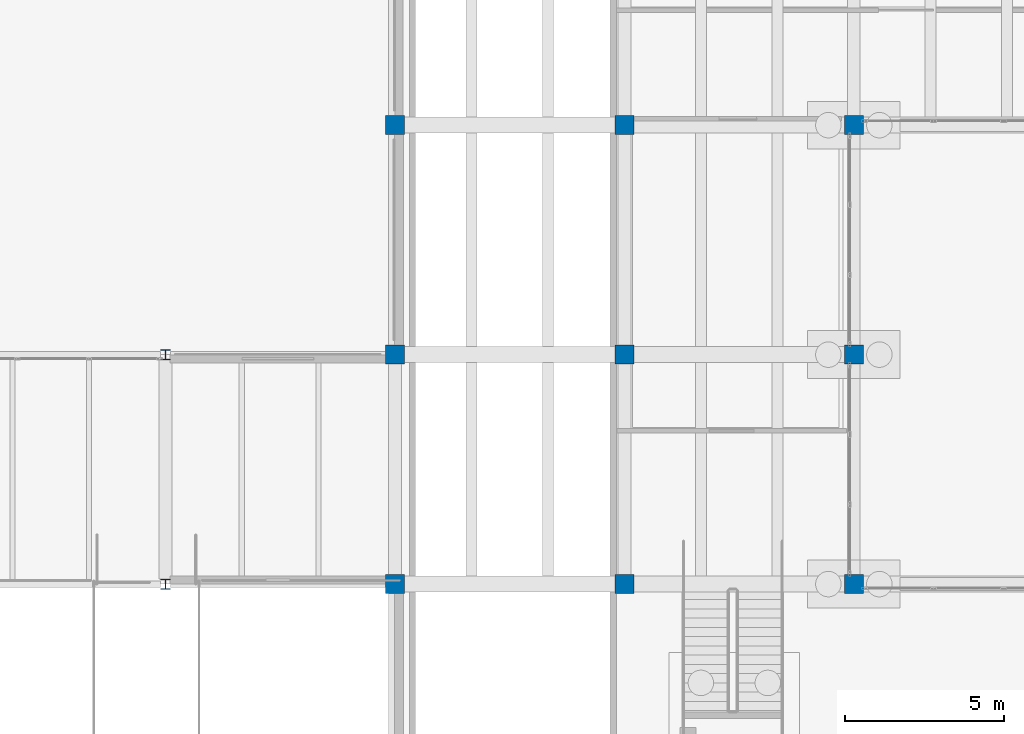
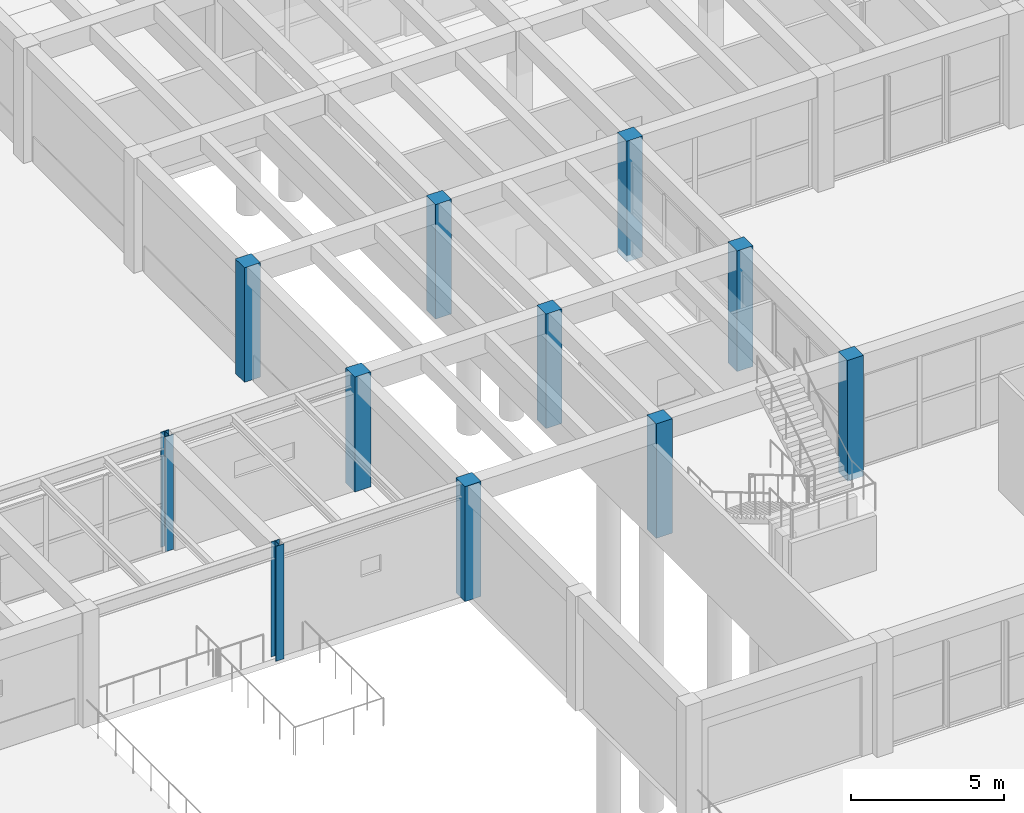
# One storey, part 10 of 155: 11 columns.
"""IFC4 building model written with IfcOpenShell, lengths in metres."""

from ifc_helpers import new_model, si_unit, direction, frame, origin, origin_2d, place, context, subcontext, project, spatial, rectangle, i_section, extrude, material, material_profile, profile_set, type_object, element, save


model = new_model("IFC4")

# Units and contexts
model_context = context("Model", 3, precision=1e-05, world=origin(), true_north=direction((0.0, 1.0)))
body_context = subcontext(model_context, "Body", "Model", "MODEL_VIEW")
ifc_project = project(units=[si_unit("LENGTHUNIT", "METRE"), si_unit("AREAUNIT", "SQUARE_METRE"), si_unit("VOLUMEUNIT", "CUBIC_METRE"), si_unit("PLANEANGLEUNIT", "RADIAN"), si_unit("MASSUNIT", "GRAM", prefix="KILO")], contexts=[model_context])

# Site, building, storey
site_placement = place(None, origin())
site = spatial("IfcSite", under=ifc_project, at=site_placement, CompositionType="ELEMENT")
building_placement = place(site_placement, origin())
building = spatial("IfcBuilding", under=site, at=building_placement, Name="Bramvelor Terrace Health Centre", CompositionType="ELEMENT")
storey_placement = place(building_placement, origin())
storey = spatial("IfcBuildingStorey", under=building, at=storey_placement, Name="L01", CompositionType="ELEMENT", Elevation=0.0)

# Columns
ifc_material_1 = material(Name="Concrete C40/50", Category="concrete")
ifc_material_profile_1 = material_profile(ifc_material_1, rectangle(XDim=0.60009765625, YDim=0.60009765625, at=origin_2d()), Name="RC 600x600")
ifc_profile_set_1 = profile_set([ifc_material_profile_1], Name="Concrete C40/50")
column_type_1 = type_object("IfcColumnType", Name="COL-RC-600", PredefinedType="COLUMN", material=ifc_profile_set_1)
for number, where, z_axis, x_axis, name in (
    (1, (43.199951171875, 50.39990234375, 0.0), (0.0, 0.0, 1.0), (1.0, 0.0, 0.0), "L01 Column (43.2, 50.4)"),
    (2, (43.199951171875, 57.60009765625, 0.0), (0.0, 0.0, 1.0), (1.0, 0.0, 0.0), "L01 Column (43.2, 57.6)"),
):
    element("IfcColumn", number, at=place(storey_placement, frame(where, z_axis=z_axis, x_axis=x_axis)), inside=storey, type_object=column_type_1, Name=name, PredefinedType="COLUMN", context=body_context, shape_type="SweptSolid", body=[
        extrude(rectangle(XDim=0.60009765625, YDim=0.60009765625, at=origin_2d()), origin(), (0.0, 0.0, 1.0), 4.580078125),
    ])
for number, where, z_axis, x_axis, name in (
    (3, (43.199951171875, 64.800048828125, 0.0), (0.0, 0.0, 1.0), (1.0, 0.0, 0.0), "L01 Column (43.2, 64.8)"),
    (4, (50.39990234375, 50.39990234375, 0.0), (0.0, 0.0, 1.0), (1.0, 0.0, 0.0), "L01 Column (50.4, 50.4)"),
    (5, (50.39990234375, 57.60009765625, 0.0), (0.0, 0.0, 1.0), (1.0, 0.0, 0.0), "L01 Column (50.4, 57.6)"),
    (6, (50.39990234375, 64.800048828125, 0.0), (0.0, 0.0, 1.0), (1.0, 0.0, 0.0), "L01 Column (50.4, 64.8)"),
):
    element("IfcColumn", number, at=place(storey_placement, frame(where, z_axis=z_axis, x_axis=x_axis)), inside=storey, type_object=column_type_1, Name=name, PredefinedType="COLUMN", context=body_context, shape_type="SweptSolid", body=[
        extrude(rectangle(XDim=0.60009765625, YDim=0.60009765625, at=origin_2d()), origin(), (0.0, 0.0, 1.0), 4.56005859375),
    ])
for number, where, z_axis, x_axis, name in (
    (7, (57.60009765625, 50.39990234375, -0.25), (0.0, 0.0, 1.0), (1.0, 0.0, 0.0), "L01 Column (57.6, 50.4)"),
    (8, (57.60009765625, 57.60009765625, -0.25), (0.0, 0.0, 1.0), (1.0, 0.0, 0.0), "L01 Column (57.6, 57.6)"),
    (9, (57.60009765625, 64.800048828125, -0.25), (0.0, 0.0, 1.0), (1.0, 0.0, 0.0), "L01 Column (57.6, 64.8)"),
):
    element("IfcColumn", number, at=place(storey_placement, frame(where, z_axis=z_axis, x_axis=x_axis)), inside=storey, type_object=column_type_1, Name=name, PredefinedType="COLUMN", context=body_context, shape_type="SweptSolid", body=[
        extrude(rectangle(XDim=0.60009765625, YDim=0.60009765625, at=origin_2d()), origin(), (0.0, 0.0, 1.0), 4.81005859375),
    ])
ifc_material_2 = material(Name="Steel S355J2", Category="steel")
ifc_material_profile_2 = material_profile(ifc_material_2, i_section(OverallWidth=0.307373046875, OverallDepth=0.314453125, WebThickness=0.011962890625, FlangeThickness=0.018798828125, FilletRadius=0.01513671875, at=origin_2d()), Name="UC 305x305x118")
ifc_profile_set_2 = profile_set([ifc_material_profile_2], Name="Steel S355J2")
column_type_2 = type_object("IfcColumnType", Name="COL-STL-UC305", PredefinedType="COLUMN", material=ifc_profile_set_2)
for number, where, z_axis, x_axis, name in (
    (10, (36.0, 50.39990234375, 0.0), (0.0, 0.0, 1.0), (1.0, 0.0, 0.0), "L01 Column (36.0, 50.4)"),
    (11, (36.0, 57.60009765625, 0.0), (0.0, 0.0, 1.0), (1.0, 0.0, 0.0), "L01 Column (36.0, 57.6)"),
):
    element("IfcColumn", number, at=place(storey_placement, frame(where, z_axis=z_axis, x_axis=x_axis)), inside=storey, type_object=column_type_2, Name=name, PredefinedType="COLUMN", context=body_context, shape_type="SweptSolid", body=[
        extrude(i_section(OverallWidth=0.307373046875, OverallDepth=0.314453125, WebThickness=0.011962890625, FlangeThickness=0.018798828125, FilletRadius=0.01513671875, at=origin_2d()), origin(), (0.0, 0.0, 1.0), 4.580078125),
    ])

save(model, "model.ifc")
